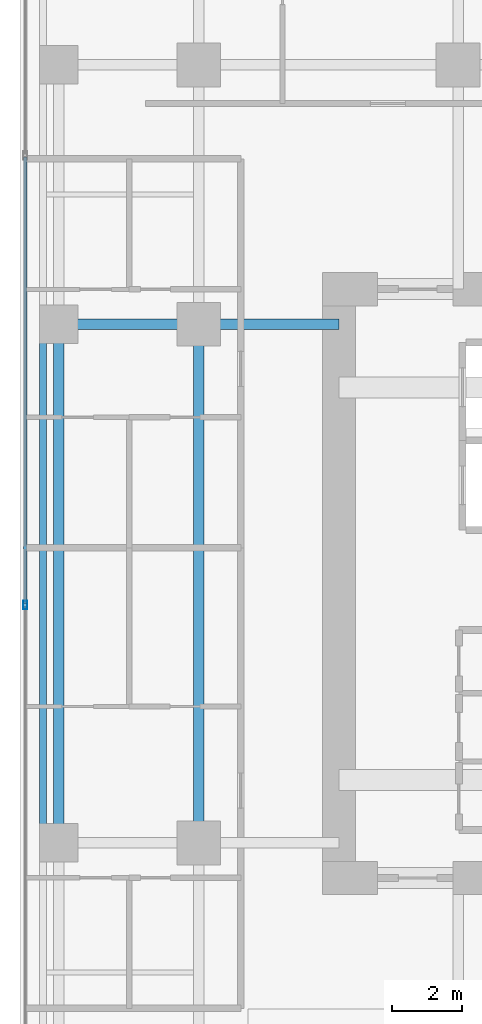
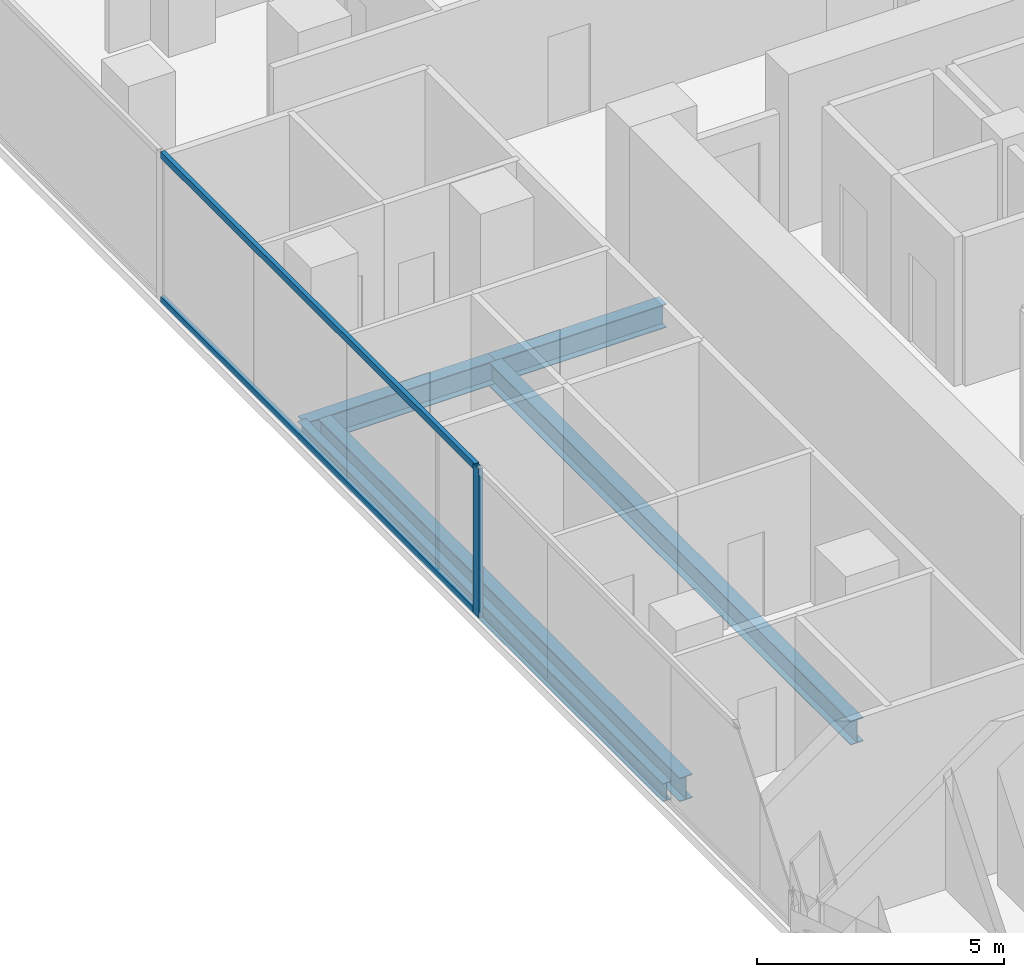
# One storey, part 6 of 26: 5 beams, 3 members, 1 element without a shape of its own.
"""IFC4 building model written with IfcOpenShell, lengths in metres."""

import ifcopenshell
import ifcopenshell.guid

model = None  # the IFC model being written
_history = None  # IfcOwnerHistory: only IFC2X3 demands one
_inside = {}  # id of a spatial element -> (the spatial element, [elements in it])
_under = {}  # id of a project, library or spatial element -> (it, [spatial elements below it])
_declared = {}  # id of a project -> (the project, [libraries it declares])
_typed = {}  # id of a type object -> (the type object, [elements of that type])
_made_of = {}  # id of a material, layer set ... -> (it, [elements and type objects made of it])


def new_model(schema):
    """Start an empty IFC model of exactly this schema.

    Asked for "IFC4X3", IfcOpenShell would pick the latest addendum, in which some entities
    have other attributes; the version numbers below select the first issue.
    IFC2X3 requires an IfcOwnerHistory on every rooted entity: one is made here for all.
    """
    global model, _history
    if schema == "IFC4X3":
        model = ifcopenshell.file(schema_version=(4, 3, 0, 0))
    else:
        model = ifcopenshell.file(schema=schema)
    _inside.clear()
    _under.clear()
    _declared.clear()
    _typed.clear()
    _made_of.clear()
    _history = None
    if model.schema == "IFC2X3":
        org = make("IfcOrganization", Name="unknown")
        user = make(
            "IfcPersonAndOrganization",
            ThePerson=make("IfcPerson", FamilyName="unknown"),
            TheOrganization=org,
        )
        app = make(
            "IfcApplication",
            ApplicationDeveloper=org,
            Version="unknown",
            ApplicationFullName="unknown",
            ApplicationIdentifier="unknown",
        )
        _history = make(
            "IfcOwnerHistory",
            OwningUser=user,
            OwningApplication=app,
            ChangeAction="ADDED",
            CreationDate=0,
        )
    return model


def make(cls, **values):
    """One entity of the class cls with the attributes given. An attribute that is None is left unset."""
    return model.create_entity(
        cls, **{name: value for name, value in values.items() if value is not None}
    )


def rooted(cls, **values):
    """An entity with a GlobalId (a new one), such as an element, a storey or a relation."""
    return make(cls, GlobalId=ifcopenshell.guid.new(), OwnerHistory=_history, **values)


def si_unit(unit_type, name, prefix=None):
    """IfcSIUnit, for example si_unit("LENGTHUNIT", "METRE", prefix="MILLI")."""
    return make("IfcSIUnit", UnitType=unit_type, Prefix=prefix, Name=name)


def assignment(units):
    """IfcUnitAssignment: the units of a project."""
    return None if units is None else make("IfcUnitAssignment", Units=units)


def point(xyz):
    """IfcCartesianPoint."""
    return None if xyz is None else make("IfcCartesianPoint", Coordinates=xyz)


def direction(xyz):
    """IfcDirection."""
    return None if xyz is None else make("IfcDirection", DirectionRatios=xyz)


def frame(location, z_axis=None, x_axis=None):
    """IfcAxis2Placement3D, a coordinate frame: its origin and axes. An axis left out is left unset."""
    return make(
        "IfcAxis2Placement3D",
        Location=point(location),
        Axis=direction(z_axis),
        RefDirection=direction(x_axis),
    )


def frame_2d(location, x_axis=None):
    """IfcAxis2Placement2D, a coordinate frame in the plane: its origin and x axis."""
    return make(
        "IfcAxis2Placement2D", Location=point(location), RefDirection=direction(x_axis)
    )


def origin():
    """The frame at (0, 0, 0) with its axes left unset."""
    return frame((0.0, 0.0, 0.0))


def origin_2d():
    """The frame at (0, 0) in the plane with its x axis left unset."""
    return frame_2d((0.0, 0.0))


def place(relative_to, where):
    """IfcLocalPlacement: puts the frame where relative to a parent placement (None: the world)."""
    return make(
        "IfcLocalPlacement", PlacementRelTo=relative_to, RelativePlacement=where
    )


def context(
    kind, dimensions, precision=None, world=None, true_north=None, identifier=None
):
    """IfcGeometricRepresentationContext, for example the 3D "Model" context."""
    return make(
        "IfcGeometricRepresentationContext",
        ContextIdentifier=identifier,
        ContextType=kind,
        CoordinateSpaceDimension=dimensions,
        Precision=precision,
        WorldCoordinateSystem=world,
        TrueNorth=true_north,
    )


def subcontext(parent, identifier, kind, view, scale=None):
    """IfcGeometricRepresentationSubContext, for example "Body" below "Model"."""
    return make(
        "IfcGeometricRepresentationSubContext",
        ContextIdentifier=identifier,
        ContextType=kind,
        ParentContext=parent,
        TargetScale=scale,
        TargetView=view,
    )


def project(units=None, contexts=None):
    """IfcProject with its units and contexts."""
    return rooted(
        "IfcProject",
        Name="project",
        RepresentationContexts=contexts,
        UnitsInContext=assignment(units),
    )


def spatial(cls, under=None, at=None, **own):
    """A site, building, storey or space (cls), placed at a placement, below another one or the project."""
    s = rooted(cls, ObjectPlacement=at, **own)
    if under is not None:
        _under.setdefault(under.id(), (under, []))[1].append(s)
    return s


def profile(cls, at=None, kind="AREA", **sizes):
    """A parametric profile (cls). Its sizes go by their IFC names, for example OverallWidth=200.0."""
    return make(cls, ProfileType=kind, Position=at, **sizes)


def hollow_rectangle(**sizes):
    """IfcRectangleHollowProfileDef."""
    return profile("IfcRectangleHollowProfileDef", **sizes)


def i_section(**sizes):
    """IfcIShapeProfileDef."""
    return profile("IfcIShapeProfileDef", **sizes)


def extrude(swept, where, along, depth):
    """IfcExtrudedAreaSolid: the profile swept, set in the frame where, extruded along a direction by depth."""
    return make(
        "IfcExtrudedAreaSolid",
        SweptArea=swept,
        Position=where,
        ExtrudedDirection=direction(along),
        Depth=depth,
    )


def shape(context_of_items, identifier, shape_type, items):
    """IfcShapeRepresentation: the items that make up one representation, for example the "Body"."""
    return make(
        "IfcShapeRepresentation",
        ContextOfItems=context_of_items,
        RepresentationIdentifier=identifier,
        RepresentationType=shape_type,
        Items=items,
    )


def material(Name=None, Category=None):
    """IfcMaterial."""
    return make("IfcMaterial", Name=Name, Category=Category)


def layer(
    of_material, thickness, ventilated=None, Name=None, Category=None, Priority=None
):
    """IfcMaterialLayer: one layer of a wall or slab, of a material (None: an air gap)."""
    return make(
        "IfcMaterialLayer",
        Material=of_material,
        LayerThickness=thickness,
        IsVentilated=ventilated,
        Name=Name,
        Category=Category,
        Priority=Priority,
    )


def layer_set(layers, Name=None):
    """IfcMaterialLayerSet."""
    return make("IfcMaterialLayerSet", MaterialLayers=layers, LayerSetName=Name)


def material_profile(
    of_material, cross_section, Name=None, Category=None, Priority=None
):
    """IfcMaterialProfile: a cross section and its material."""
    return make(
        "IfcMaterialProfile",
        Name=Name,
        Material=of_material,
        Profile=cross_section,
        Priority=Priority,
        Category=Category,
    )


def profile_set(profiles, Name=None, composite=None):
    """IfcMaterialProfileSet."""
    return make(
        "IfcMaterialProfileSet",
        Name=Name,
        MaterialProfiles=profiles,
        CompositeProfile=composite,
    )


def made_of(thing, what):
    """Note that an element or type object is made of a material, layer set ...; save() writes the relation."""
    if what is not None:
        _made_of.setdefault(what.id(), (what, []))[1].append(thing)
    return thing


def type_object(cls, material=None, **own):
    """A type object (cls), such as IfcWallType, which elements share."""
    return made_of(rooted(cls, **own), material)


def element(
    cls,
    number,
    at=None,
    inside=None,
    cuts=None,
    type_object=None,
    material=None,
    context=None,
    identifier="Body",
    shape_type=None,
    held_by="IfcProductDefinitionShape",
    body=None,
    shapes=None,
    **own,
):
    """One element of the class cls, such as IfcWall. Its Tag is "e" and its number.

    at: its placement. inside: the storey or other place that contains it. cuts: it is an
    opening in that element (IfcRelVoidsElement). A single representation is given by context,
    identifier, shape_type and body (its items); several are given by shapes. held_by: the class
    of the entity that holds the representations. save() writes the other relations.
    """
    e = rooted(cls, Tag="e%d" % number, ObjectPlacement=at, **own)
    if body is not None:
        shapes = [shape(context, identifier, shape_type, body)]
    if shapes is not None:
        e.Representation = make(held_by, Representations=shapes)
    if inside is not None:
        _inside.setdefault(inside.id(), (inside, []))[1].append(e)
    if cuts is not None:
        rooted(
            "IfcRelVoidsElement", RelatingBuildingElement=cuts, RelatedOpeningElement=e
        )
    if type_object is not None:
        _typed.setdefault(type_object.id(), (type_object, []))[1].append(e)
    return made_of(e, material)


def aggregate(whole, parts):
    """IfcRelAggregates: a whole, such as a stair, and the parts it consists of."""
    return rooted("IfcRelAggregates", RelatingObject=whole, RelatedObjects=parts)


def save(model, path):
    """Write the relations noted so far, then the file.

    IfcRelAggregates (storeys below a building ...), IfcRelContainedInSpatialStructure (elements
    in a storey), IfcRelDefinesByType, IfcRelAssociatesMaterial and IfcRelDeclares: one each for
    every whole, place, type object, material and project.
    """
    for whole, parts in _under.values():
        aggregate(whole, parts)
    for where, things in _inside.values():
        rooted(
            "IfcRelContainedInSpatialStructure",
            RelatedElements=things,
            RelatingStructure=where,
        )
    for kind, things in _typed.values():
        rooted("IfcRelDefinesByType", RelatedObjects=things, RelatingType=kind)
    for what, things in _made_of.values():
        rooted("IfcRelAssociatesMaterial", RelatedObjects=things, RelatingMaterial=what)
    for by, libraries in _declared.values():
        rooted("IfcRelDeclares", RelatingContext=by, RelatedDefinitions=libraries)
    model.write(path)


model = new_model("IFC4")

# Units and contexts
model_context = context("Model", 3, precision=1e-05, world=origin(), true_north=direction((0.0, 1.0)))
body_context = subcontext(model_context, "Body", "Model", "MODEL_VIEW")
ifc_project = project(units=[si_unit("LENGTHUNIT", "METRE"), si_unit("AREAUNIT", "SQUARE_METRE"), si_unit("VOLUMEUNIT", "CUBIC_METRE"), si_unit("PLANEANGLEUNIT", "RADIAN"), si_unit("MASSUNIT", "GRAM", prefix="KILO")], contexts=[model_context])

# Site, building, storey
site_placement = place(None, origin())
site = spatial("IfcSite", under=ifc_project, at=site_placement, CompositionType="ELEMENT")
building_placement = place(site_placement, origin())
building = spatial("IfcBuilding", under=site, at=building_placement, Name="Khorvyn Point Tower", CompositionType="ELEMENT")
storey_placement = place(building_placement, frame((0.0, 0.0, 113.39990234375)))
storey = spatial("IfcBuildingStorey", under=building, at=storey_placement, Name="L28", CompositionType="ELEMENT", Elevation=113.39990234375)

# Curtain wall, members
ifc_material_1 = material(Name="Anodised aluminium 6063-T6 and laminated Low-E glass", Category="aluminium")
ifc_layer = layer(ifc_material_1, 0.18994140625)
ifc_layer_set = layer_set([ifc_layer], Name="Stick-Built Acoustic Curtain Wall CW-SYS-03")
curtain_wall_type = type_object("IfcCurtainWallType", Name="Stick-Built Acoustic Curtain Wall CW-SYS-03", PredefinedType="NOTDEFINED", material=ifc_layer_set)
curtain_wall_placement = place(storey_placement, origin())
curtain_wall = element("IfcCurtainWall", 1, at=curtain_wall_placement, inside=storey, type_object=curtain_wall_type, Name="Curtain Wall", PredefinedType="NOTDEFINED")
ifc_material_2 = material(Name="Anodised aluminium 6063-T6", Category="aluminium")
ifc_material_profile_1 = material_profile(ifc_material_2, hollow_rectangle(XDim=0.10009765625, YDim=0.239990234375, WallThickness=0.0048828125, at=origin_2d()))
ifc_profile_set_1 = profile_set([ifc_material_profile_1], Name="Anodised aluminium 6063-T6 ALU-MUL-100x240")
member_type_1 = type_object("IfcMemberType", Name="Anodised Aluminium 6063-T6 Mullion ALU-MUL-100x240", PredefinedType="MULLION", material=ifc_profile_set_1)
member_1_placement = place(storey_placement, frame((-19.75, -0.61669921875, 0.0), z_axis=(0.0, 0.0, 1.0), x_axis=(-1.0, 0.0, 0.0)))
member_1 = element("IfcMember", 2, at=member_1_placement, type_object=member_type_1, Name="Transom", PredefinedType="MULLION", context=body_context, shape_type="SweptSolid", body=[
    extrude(hollow_rectangle(XDim=0.10009765625, YDim=0.239990234375, WallThickness=0.0048828125, at=origin_2d()), origin(), (0.0, 0.0, 1.0), 3.68017578125),
])
ifc_material_profile_2 = material_profile(ifc_material_2, hollow_rectangle(XDim=0.10009765625, YDim=0.159912109375, WallThickness=0.00439453125, at=origin_2d()))
ifc_profile_set_2 = profile_set([ifc_material_profile_2], Name="Anodised aluminium 6063-T6 ALU-TRN-100x160")
member_type_2 = type_object("IfcMemberType", Name="Anodised Aluminium 6063-T6 Transom ALU-TRN-100x160", PredefinedType="USERDEFINED", material=ifc_profile_set_2)
member_2_placement = place(storey_placement, frame((-19.75, -0.566650390625, 0.050048828125), z_axis=(0.0, 1.0, 0.0), x_axis=(-1.0, 0.0, 0.0)))
member_2 = element("IfcMember", 3, at=member_2_placement, type_object=member_type_2, Name="Transom", ObjectType="TRANSOM", PredefinedType="USERDEFINED", context=body_context, shape_type="SweptSolid", body=[
    extrude(hollow_rectangle(XDim=0.10009765625, YDim=0.159912109375, WallThickness=0.00439453125, at=origin_2d()), origin(), (0.0, 0.0, 1.0), 12.7333984375),
])
member_3_placement = place(storey_placement, frame((-19.75, -0.566650390625, 3.630126953125), z_axis=(0.0, 1.0, 0.0), x_axis=(-1.0, 0.0, 0.0)))
member_3 = element("IfcMember", 4, at=member_3_placement, type_object=member_type_2, Name="Transom", ObjectType="TRANSOM", PredefinedType="USERDEFINED", context=body_context, shape_type="SweptSolid", body=[
    extrude(hollow_rectangle(XDim=0.10009765625, YDim=0.159912109375, WallThickness=0.00439453125, at=origin_2d()), origin(), (0.0, 0.0, 1.0), 12.7333984375),
])
aggregate(curtain_wall, [member_1, member_2, member_3])

# Beams
ifc_material_3 = material(Name="Steel S355", Category="steel")
ifc_material_profile_3 = material_profile(ifc_material_3, i_section(OverallWidth=0.300048828125, OverallDepth=0.587890625, WebThickness=0.011962890625, FlangeThickness=0.02001953125, at=origin_2d()))
ifc_profile_set_3 = profile_set([ifc_material_profile_3], Name="Steel S355 H588x300x12x20")
beam_type_1 = type_object("IfcBeamType", Name="Steel S355 Beam H588x300x12x20", PredefinedType="BEAM", material=ifc_profile_set_3)
beam_1_placement = place(storey_placement, frame((-19.25, 7.39990234375, -0.513916015625), z_axis=(1.0, 0.0, 0.0), x_axis=(0.0, 1.0, 0.0)))
element("IfcBeam", 5, at=beam_1_placement, inside=storey, type_object=beam_type_1, Name="Beam", PredefinedType="BEAM", context=body_context, shape_type="SweptSolid", body=[
    extrude(i_section(OverallWidth=0.300048828125, OverallDepth=0.587890625, WebThickness=0.011962890625, FlangeThickness=0.02001953125, at=origin_2d()), origin(), (0.0, 0.0, 1.0), 4.449951171875),
])
beam_2_placement = place(storey_placement, frame((-14.800048828125, 7.39990234375, -0.513916015625), z_axis=(1.0, 0.0, 0.0), x_axis=(0.0, 1.0, 0.0)))
element("IfcBeam", 6, at=beam_2_placement, inside=storey, type_object=beam_type_1, Name="Beam", PredefinedType="BEAM", context=body_context, shape_type="SweptSolid", body=[
    extrude(i_section(OverallWidth=0.300048828125, OverallDepth=0.587890625, WebThickness=0.011962890625, FlangeThickness=0.02001953125, at=origin_2d()), origin(), (0.0, 0.0, 1.0), 4.0),
])
for number, where, z_axis, x_axis, name in (
    (7, (-14.800048828125, -7.39990234375, -0.513916015625), (0.0, 1.0, 0.0), (-1.0, 0.0, 0.0), "Beam"),
    (8, (-18.800048828125, -7.39990234375, -0.513916015625), (0.0, 1.0, 0.0), (-1.0, 0.0, 0.0), "Beam"),
):
    element("IfcBeam", number, at=place(storey_placement, frame(where, z_axis=z_axis, x_axis=x_axis)), inside=storey, type_object=beam_type_1, Name=name, PredefinedType="BEAM", context=body_context, shape_type="SweptSolid", body=[
        extrude(i_section(OverallWidth=0.300048828125, OverallDepth=0.587890625, WebThickness=0.011962890625, FlangeThickness=0.02001953125, at=origin_2d()), origin(), (0.0, 0.0, 1.0), 14.7998046875),
    ])
ifc_material_profile_4 = material_profile(ifc_material_3, i_section(OverallWidth=0.199951171875, OverallDepth=0.449951171875, WebThickness=0.009033203125, FlangeThickness=0.013916015625, at=origin_2d()))
ifc_profile_set_4 = profile_set([ifc_material_profile_4], Name="Steel S355 H450x200x9x14")
beam_type_2 = type_object("IfcBeamType", Name="Steel S355 Spandrel H450x200x9x14", PredefinedType="SPANDREL", material=ifc_profile_set_4)
beam_3_placement = place(storey_placement, frame((-19.25, -7.39990234375, -0.44482421875), z_axis=(0.0, 1.0, 0.0), x_axis=(-1.0, 0.0, 0.0)))
element("IfcBeam", 9, at=beam_3_placement, inside=storey, type_object=beam_type_2, Name="Beam", PredefinedType="SPANDREL", context=body_context, shape_type="SweptSolid", body=[
    extrude(i_section(OverallWidth=0.199951171875, OverallDepth=0.449951171875, WebThickness=0.009033203125, FlangeThickness=0.013916015625, at=origin_2d()), origin(), (0.0, 0.0, 1.0), 14.7998046875),
])

save(model, "model.ifc")
